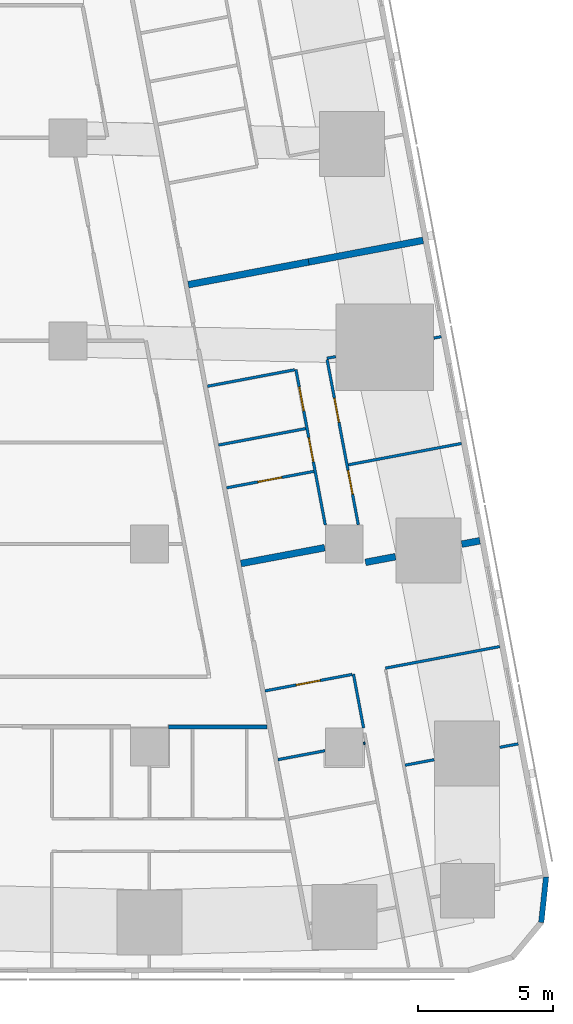
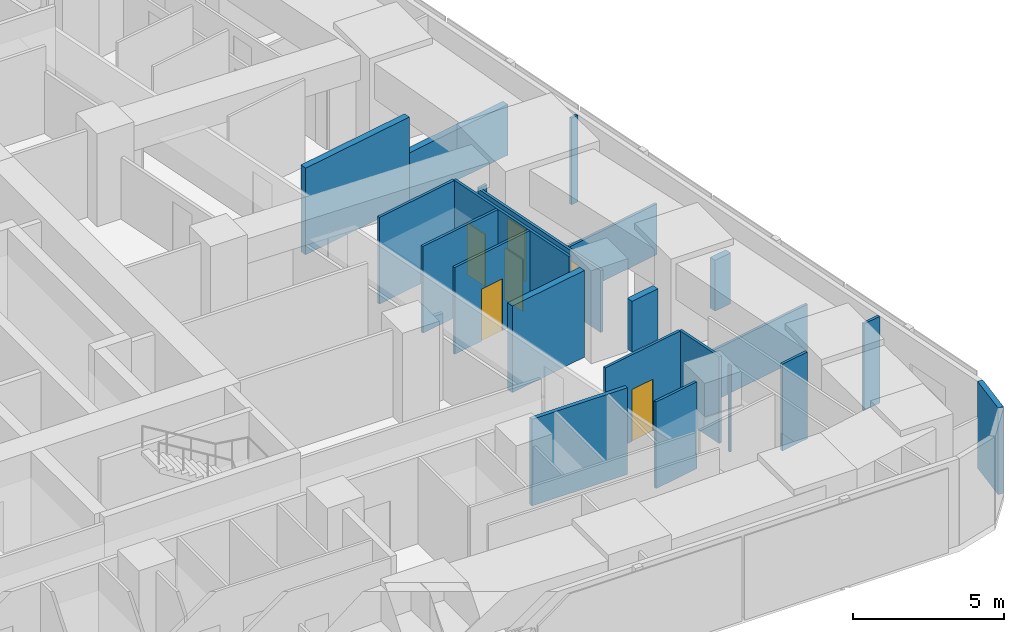
# One storey, part 14 of 19: 22 walls, 6 doors, 6 openings.
"""IFC4 building model written with IfcOpenShell, lengths in metres."""

from ifc_helpers import new_model, si_unit, direction, frame, frame_2d, origin, place, context, subcontext, project, spatial, rectangle, extrude, material, layer, layer_set, type_object, element, fill, save


model = new_model("IFC4")

# Units and contexts
model_context = context("Model", 3, precision=1e-05, world=origin(), true_north=direction((0.0, 1.0)))
body_context = subcontext(model_context, "Body", "Model", "MODEL_VIEW")
ifc_project = project(units=[si_unit("LENGTHUNIT", "METRE"), si_unit("AREAUNIT", "SQUARE_METRE"), si_unit("VOLUMEUNIT", "CUBIC_METRE"), si_unit("PLANEANGLEUNIT", "RADIAN"), si_unit("MASSUNIT", "GRAM", prefix="KILO")], contexts=[model_context])

# Site, building, storey
site_placement = place(None, origin())
site = spatial("IfcSite", under=ifc_project, at=site_placement, CompositionType="ELEMENT")
building_placement = place(site_placement, origin())
building = spatial("IfcBuilding", under=site, at=building_placement, Name="Sheger Commons Tower", CompositionType="ELEMENT")
storey_placement = place(building_placement, frame((0.0, 0.0, 201.199951171875)))
storey = spatial("IfcBuildingStorey", under=building, at=storey_placement, Name="L51", CompositionType="ELEMENT", Elevation=201.199951171875)

# Walls
ifc_material_1 = material(Name="Hollow concrete block masonry, skimmed both sides", Category="masonry")
ifc_layer_1 = layer(ifc_material_1, 0.14990234375)
ifc_layer_set_1 = layer_set([ifc_layer_1], Name="CORRIDOR WALL 150")
wall_type_1 = type_object("IfcWallType", Name="CORRIDOR WALL 150", PredefinedType="SOLIDWALL", material=ifc_layer_set_1)
wall_1_placement = place(storey_placement, frame((40.35498046875, 8.25, 0.0), z_axis=(0.0, 0.0, 1.0), x_axis=(-1.0, 0.0, 0.0)))
element("IfcWall", 1, at=wall_1_placement, inside=storey, type_object=wall_type_1, Name="Corridor wall L51", PredefinedType="SOLIDWALL", context=body_context, shape_type="SweptSolid", body=[
    extrude(rectangle(XDim=3.654052734375, YDim=0.14990234375, at=frame_2d((1.8271484375, 0.0))), origin(), (0.0, 0.0, 1.0), 3.5),
])
ifc_material_2 = material(Name="Dense concrete block masonry, plastered both sides (separating wall between flats)", Category="masonry")
ifc_layer_2 = layer(ifc_material_2, 0.25)
ifc_layer_set_2 = layer_set([ifc_layer_2], Name="DEMISING WALL 250")
wall_type_2 = type_object("IfcWallType", Name="DEMISING WALL 250", PredefinedType="SOLIDWALL", material=ifc_layer_set_2)
wall_2_placement = place(storey_placement, frame((46.110107421875, 26.212890625, 0.0), z_axis=(0.0, 0.0, 1.0), x_axis=(-0.982633535512, -0.185556823879, 0.0)))
element("IfcWall", 2, at=wall_2_placement, inside=storey, type_object=wall_type_2, Name="Demising wall L51", PredefinedType="SOLIDWALL", context=body_context, shape_type="SweptSolid", body=[
    extrude(rectangle(XDim=4.2998046875, YDim=0.25, at=frame_2d((2.14990234375, 0.0))), origin(), (0.0, 0.0, 1.0), 2.050048828125),
])
wall_3_placement = place(storey_placement, frame((41.885009765625, 25.4150390625, 0.0), z_axis=(0.0, 0.0, 1.0), x_axis=(-0.982612837616, -0.185666398014, 0.0)))
element("IfcWall", 3, at=wall_3_placement, inside=storey, type_object=wall_type_2, Name="Demising wall L51", PredefinedType="SOLIDWALL", context=body_context, shape_type="SweptSolid", body=[
    extrude(rectangle(XDim=4.524658203125, YDim=0.25, at=frame_2d((2.26220703125, 0.0))), origin(), (0.0, 0.0, 1.0), 3.5),
])
wall_4_placement = place(storey_placement, frame((48.2060546875, 15.1201171875, 0.0), z_axis=(0.0, 0.0, 1.0), x_axis=(-0.982610999048, -0.18567612811, 0.0)))
element("IfcWall", 4, at=wall_4_placement, inside=storey, type_object=wall_type_2, Name="Demising wall L51", PredefinedType="SOLIDWALL", context=body_context, shape_type="SweptSolid", body=[
    extrude(rectangle(XDim=0.6796875, YDim=0.25, at=frame_2d((0.33984375, 0.0))), origin(), (0.0, 0.0, 1.0), 2.050048828125),
])
wall_5_placement = place(storey_placement, frame((45.090087890625, 14.531005859375, 0.0), z_axis=(0.0, 0.0, 1.0), x_axis=(-0.982737354171, -0.185006196431, 0.0)))
element("IfcWall", 5, at=wall_5_placement, inside=storey, type_object=wall_type_2, Name="Demising wall L51", PredefinedType="SOLIDWALL", context=body_context, shape_type="SweptSolid", body=[
    extrude(rectangle(XDim=1.129638671875, YDim=0.25, at=frame_2d((0.56494140625, 0.0))), origin(), (0.0, 0.0, 1.0), 2.050048828125),
])
wall_6_placement = place(storey_placement, frame((42.47607421875, 14.863037109375, 0.0), z_axis=(0.0, 0.0, 1.0), x_axis=(-0.982638716117, -0.185529387398, 0.0)))
element("IfcWall", 6, at=wall_6_placement, inside=storey, type_object=wall_type_2, Name="Demising wall L51", PredefinedType="SOLIDWALL", context=body_context, shape_type="SweptSolid", body=[
    extrude(rectangle(XDim=3.147705078125, YDim=0.25, at=frame_2d((1.57373046875, 0.0))), origin(), (0.0, 0.0, 1.0), 3.5),
])
ifc_material_3 = material(Name="Rendered concrete block masonry, dark grey", Category="masonry")
ifc_layer_3 = layer(ifc_material_3, 0.199951171875)
ifc_layer_set_3 = layer_set([ifc_layer_3], Name="FACADE WALL 200")
wall_type_3 = type_object("IfcWallType", Name="FACADE WALL 200", PredefinedType="SOLIDWALL", material=ifc_layer_set_3)
wall_7_placement = place(storey_placement, frame((50.47412109375, 1.02490234375, 0.0), z_axis=(0.0, 0.0, 1.0), x_axis=(0.106047815515, 0.994361031429, 0.0)))
element("IfcWall", 7, at=wall_7_placement, inside=storey, type_object=wall_type_3, Name="Facade wall L51", PredefinedType="SOLIDWALL", context=body_context, shape_type="SweptSolid", body=[
    extrude(rectangle(XDim=1.6875, YDim=0.199951171875, at=frame_2d((0.84375, 0.0))), origin(), (0.0, 0.0, 1.0), 3.5),
])

# Wall, openings, doors
ifc_material_4 = material(Name="Gypsum board on steel studs", Category="steel")
ifc_layer_4 = layer(ifc_material_4, 0.10009765625)
ifc_layer_set_4 = layer_set([ifc_layer_4], Name="PARTITION 100")
wall_type_4 = type_object("IfcWallType", Name="PARTITION 100", PredefinedType="PARTITIONING", material=ifc_layer_set_4)
wall_8_placement = place(storey_placement, frame((42.56591796875, 21.80908203125, 0.0), z_axis=(0.0, 0.0, 1.0), x_axis=(0.185613526435, -0.98262282632, 0.0)))
wall_8 = element("IfcWall", 8, at=wall_8_placement, inside=storey, type_object=wall_type_4, Name="Partition L51", PredefinedType="PARTITIONING", context=body_context, shape_type="SweptSolid", body=[
    extrude(rectangle(XDim=6.20703125, YDim=0.10009765625, at=frame_2d((3.103515625, 0.0))), origin(), (0.0, 0.0, 1.0), 2.5),
])
opening_1_placement = place(wall_8_placement, frame((1.449951171875, 0.0, 0.0)))
opening_1 = element("IfcOpeningElement", 9, at=opening_1_placement, cuts=wall_8, Name="Opening D2", PredefinedType="OPENING", context=body_context, shape_type="SweptSolid", body=[
    extrude(rectangle(XDim=0.89990234375, YDim=2.10009765625, at=frame_2d((0.449951171875, 1.050048828125))), frame((0.0, 0.06005859375, 0.0), z_axis=(0.0, -1.0, 0.0), x_axis=(1.0, 0.0, 0.0)), (0.0, 0.0, 1.0), 0.1201171875),
])
opening_2_placement = place(wall_8_placement, frame((4.1630859375, 0.0, 0.0)))
opening_2 = element("IfcOpeningElement", 10, at=opening_2_placement, cuts=wall_8, Name="Opening D2", PredefinedType="OPENING", context=body_context, shape_type="SweptSolid", body=[
    extrude(rectangle(XDim=0.89990234375, YDim=2.10009765625, at=frame_2d((0.449951171875, 1.050048828125))), frame((0.0, 0.06005859375, 0.0), z_axis=(0.0, -1.0, 0.0), x_axis=(1.0, 0.0, 0.0)), (0.0, 0.0, 1.0), 0.1201171875),
])
ifc_material_5 = material(Name="Timber door set", Category="wood")
door_type = type_object("IfcDoorType", Name="INTERNAL DOOR 900x2100", OperationType="NOTDEFINED", PredefinedType="DOOR", material=ifc_material_5)
door_1_placement = place(opening_1_placement, origin())
door_1 = element("IfcDoor", 11, at=door_1_placement, inside=storey, type_object=door_type, Name="Main bedroom door", OperationType="SINGLE_SWING_LEFT", OverallHeight=2.10009765625, OverallWidth=0.89990234375, PredefinedType="DOOR", context=body_context, shape_type="SweptSolid", body=[
    extrude(rectangle(XDim=0.89990234375, YDim=2.10009765625, at=frame_2d((0.449951171875, 1.050048828125))), frame((0.0, 0.02490234375, 0.0), z_axis=(0.0, -1.0, 0.0), x_axis=(1.0, 0.0, 0.0)), (0.0, 0.0, 1.0), 0.050048828125),
])
fill(opening_1, door_1)
door_2_placement = place(opening_2_placement, origin())
door_2 = element("IfcDoor", 12, at=door_2_placement, inside=storey, type_object=door_type, Name="Bedroom 2 door", OperationType="SINGLE_SWING_LEFT", OverallHeight=2.10009765625, OverallWidth=0.89990234375, PredefinedType="DOOR", context=body_context, shape_type="SweptSolid", body=[
    extrude(rectangle(XDim=0.89990234375, YDim=2.10009765625, at=frame_2d((0.449951171875, 1.050048828125))), frame((0.0, 0.02490234375, 0.0), z_axis=(0.0, -1.0, 0.0), x_axis=(1.0, 0.0, 0.0)), (0.0, 0.0, 1.0), 0.050048828125),
])
fill(opening_2, door_2)

wall_9_placement = place(storey_placement, frame((41.4140625, 21.44189453125, 0.0), z_axis=(0.0, 0.0, 1.0), x_axis=(0.185698675093, -0.982606738257, 0.0)))
wall_9 = element("IfcWall", 13, at=wall_9_placement, inside=storey, type_object=wall_type_4, Name="Partition L51", PredefinedType="PARTITIONING", context=body_context, shape_type="SweptSolid", body=[
    extrude(rectangle(XDim=5.842529296875, YDim=0.10009765625, at=frame_2d((2.92138671875, 0.0))), origin(), (0.0, 0.0, 1.0), 3.5),
])
opening_3_placement = place(wall_9_placement, frame((0.655029296875, 0.0, 0.0)))
opening_3 = element("IfcOpeningElement", 14, at=opening_3_placement, cuts=wall_9, Name="Opening D2", PredefinedType="OPENING", context=body_context, shape_type="SweptSolid", body=[
    extrude(rectangle(XDim=0.89990234375, YDim=2.10009765625, at=frame_2d((0.449951171875, 1.050048828125))), frame((0.0, 0.06005859375, 0.0), z_axis=(0.0, -1.0, 0.0), x_axis=(1.0, 0.0, 0.0)), (0.0, 0.0, 1.0), 0.1201171875),
])
opening_4_placement = place(wall_9_placement, frame((2.56298828125, 0.0, 0.0)))
opening_4 = element("IfcOpeningElement", 15, at=opening_4_placement, cuts=wall_9, Name="Opening D2", PredefinedType="OPENING", context=body_context, shape_type="SweptSolid", body=[
    extrude(rectangle(XDim=0.89990234375, YDim=2.10009765625, at=frame_2d((0.449951171875, 1.050048828125))), frame((0.0, 0.06005859375, 0.0), z_axis=(0.0, -1.0, 0.0), x_axis=(1.0, 0.0, 0.0)), (0.0, 0.0, 1.0), 0.1201171875),
])
door_3_placement = place(opening_3_placement, origin())
door_3 = element("IfcDoor", 16, at=door_3_placement, inside=storey, type_object=door_type, Name="Bathroom door", OperationType="SINGLE_SWING_RIGHT", OverallHeight=2.10009765625, OverallWidth=0.89990234375, PredefinedType="DOOR", context=body_context, shape_type="SweptSolid", body=[
    extrude(rectangle(XDim=0.89990234375, YDim=2.10009765625, at=frame_2d((0.449951171875, 1.050048828125))), frame((0.0, 0.02490234375, 0.0), z_axis=(0.0, -1.0, 0.0), x_axis=(1.0, 0.0, 0.0)), (0.0, 0.0, 1.0), 0.050048828125),
])
fill(opening_3, door_3)
door_4_placement = place(opening_4_placement, origin())
door_4 = element("IfcDoor", 17, at=door_4_placement, inside=storey, type_object=door_type, Name="Store door", OperationType="SINGLE_SWING_RIGHT", OverallHeight=2.10009765625, OverallWidth=0.89990234375, PredefinedType="DOOR", context=body_context, shape_type="SweptSolid", body=[
    extrude(rectangle(XDim=0.89990234375, YDim=2.10009765625, at=frame_2d((0.449951171875, 1.050048828125))), frame((0.0, 0.02490234375, 0.0), z_axis=(0.0, -1.0, 0.0), x_axis=(1.0, 0.0, 0.0)), (0.0, 0.0, 1.0), 0.050048828125),
])
fill(opening_4, door_4)

# Walls
wall_10_placement = place(storey_placement, frame((46.781982421875, 22.656982421875, 0.0), z_axis=(0.0, 0.0, 1.0), x_axis=(-0.982574553168, -0.185868898601, 0.0)))
element("IfcWall", 18, at=wall_10_placement, inside=storey, type_object=wall_type_4, Name="Partition L51", PredefinedType="PARTITIONING", context=body_context, shape_type="SweptSolid", body=[
    extrude(rectangle(XDim=0.27978515625, YDim=0.10009765625, at=frame_2d((0.139892578125, 0.0))), origin(), (0.0, 0.0, 1.0), 3.5),
])
wall_11_placement = place(storey_placement, frame((42.886962890625, 21.9208984375, 0.0), z_axis=(0.0, 0.0, 1.0), x_axis=(-0.982274918032, -0.187445953293, 0.0)))
element("IfcWall", 19, at=wall_11_placement, inside=storey, type_object=wall_type_4, Name="Partition L51", PredefinedType="PARTITIONING", context=body_context, shape_type="SweptSolid", body=[
    extrude(rectangle(XDim=0.3359375, YDim=0.10009765625, at=frame_2d((0.16796875, 0.0))), origin(), (0.0, 0.0, 1.0), 2.5),
])
wall_12_placement = place(storey_placement, frame((47.527099609375, 18.7119140625, 0.0), z_axis=(0.0, 0.0, 1.0), x_axis=(-0.982665405803, -0.185387972203, 0.0)))
element("IfcWall", 20, at=wall_12_placement, inside=storey, type_object=wall_type_4, Name="Partition L51", PredefinedType="PARTITIONING", context=body_context, shape_type="SweptSolid", body=[
    extrude(rectangle(XDim=4.249755859375, YDim=0.10009765625, at=frame_2d((2.125, 0.0))), origin(), (0.0, 0.0, 1.0), 2.050048828125),
])
wall_13_placement = place(storey_placement, frame((41.364990234375, 21.43310546875, 0.0), z_axis=(0.0, 0.0, 1.0), x_axis=(-0.982607026909, -0.185697147715, 0.0)))
element("IfcWall", 21, at=wall_13_placement, inside=storey, type_object=wall_type_4, Name="Partition L51", PredefinedType="PARTITIONING", context=body_context, shape_type="SweptSolid", body=[
    extrude(rectangle(XDim=3.27490234375, YDim=0.10009765625, at=frame_2d((1.637451171875, 0.0))), origin(), (0.0, 0.0, 1.0), 3.5),
])

# Wall, opening, door
wall_14_placement = place(storey_placement, frame((42.072998046875, 17.681884765625, 0.0), z_axis=(0.0, 0.0, 1.0), x_axis=(-0.982620626894, -0.185625169636, 0.0)))
wall_14 = element("IfcWall", 22, at=wall_14_placement, inside=storey, type_object=wall_type_4, Name="Partition L51", PredefinedType="PARTITIONING", context=body_context, shape_type="SweptSolid", body=[
    extrude(rectangle(XDim=3.27490234375, YDim=0.10009765625, at=frame_2d((1.637451171875, 0.0))), origin(), (0.0, 0.0, 1.0), 3.5),
])
opening_5_placement = place(wall_14_placement, frame((1.199951171875, 0.0, 0.0)))
opening_5 = element("IfcOpeningElement", 23, at=opening_5_placement, cuts=wall_14, Name="Opening D2", PredefinedType="OPENING", context=body_context, shape_type="SweptSolid", body=[
    extrude(rectangle(XDim=0.89990234375, YDim=2.10009765625, at=frame_2d((0.449951171875, 1.050048828125))), frame((0.0, 0.06005859375, 0.0), z_axis=(0.0, -1.0, 0.0), x_axis=(1.0, 0.0, 0.0)), (0.0, 0.0, 1.0), 0.1201171875),
])
door_5_placement = place(opening_5_placement, origin())
door_5 = element("IfcDoor", 24, at=door_5_placement, inside=storey, type_object=door_type, Name="Store door", OperationType="SINGLE_SWING_RIGHT", OverallHeight=2.10009765625, OverallWidth=0.89990234375, PredefinedType="DOOR", context=body_context, shape_type="SweptSolid", body=[
    extrude(rectangle(XDim=0.89990234375, YDim=2.10009765625, at=frame_2d((0.449951171875, 1.050048828125))), frame((0.0, 0.02490234375, 0.0), z_axis=(0.0, -1.0, 0.0), x_axis=(1.0, 0.0, 0.0)), (0.0, 0.0, 1.0), 0.050048828125),
])
fill(opening_5, door_5)

# Walls
wall_15_placement = place(storey_placement, frame((41.77490234375, 19.260986328125, 0.0), z_axis=(0.0, 0.0, 1.0), x_axis=(-0.982620626894, -0.185625169636, 0.0)))
element("IfcWall", 25, at=wall_15_placement, inside=storey, type_object=wall_type_4, Name="Partition L51", PredefinedType="PARTITIONING", context=body_context, shape_type="SweptSolid", body=[
    extrude(rectangle(XDim=3.27490234375, YDim=0.10009765625, at=frame_2d((1.637451171875, 0.0))), origin(), (0.0, 0.0, 1.0), 3.5),
])
wall_16_placement = place(storey_placement, frame((43.5390625, 10.19189453125, 0.0), z_axis=(0.0, 0.0, 1.0), x_axis=(0.185443145218, -0.982654995353, 0.0)))
element("IfcWall", 26, at=wall_16_placement, inside=storey, type_object=wall_type_4, Name="Partition L51", PredefinedType="PARTITIONING", context=body_context, shape_type="SweptSolid", body=[
    extrude(rectangle(XDim=2.016845703125, YDim=0.10009765625, at=frame_2d((1.00830078125, 0.0))), origin(), (0.0, 0.0, 1.0), 3.5),
])
wall_17_placement = place(storey_placement, frame((48.943115234375, 11.212890625, 0.0), z_axis=(0.0, 0.0, 1.0), x_axis=(-0.982633535512, -0.185556823879, 0.0)))
element("IfcWall", 27, at=wall_17_placement, inside=storey, type_object=wall_type_4, Name="Partition L51", PredefinedType="PARTITIONING", context=body_context, shape_type="SweptSolid", body=[
    extrude(rectangle(XDim=4.2998046875, YDim=0.10009765625, at=frame_2d((2.14990234375, 0.0))), origin(), (0.0, 0.0, 1.0), 2.050048828125),
])
wall_18_placement = place(storey_placement, frame((49.6220703125, 7.6201171875, 0.0), z_axis=(0.0, 0.0, 1.0), x_axis=(-0.98254419619, -0.186029305578, 0.0)))
element("IfcWall", 28, at=wall_18_placement, inside=storey, type_object=wall_type_4, Name="Partition L51", PredefinedType="PARTITIONING", context=body_context, shape_type="SweptSolid", body=[
    extrude(rectangle(XDim=0.6943359375, YDim=0.10009765625, at=frame_2d((0.34716796875, 0.0))), origin(), (0.0, 0.0, 1.0), 3.5),
])
wall_19_placement = place(storey_placement, frame((46.52001953125, 7.034912109375, 0.0), z_axis=(0.0, 0.0, 1.0), x_axis=(-0.982620932907, -0.185623549726, 0.0)))
element("IfcWall", 29, at=wall_19_placement, inside=storey, type_object=wall_type_4, Name="Partition L51", PredefinedType="PARTITIONING", context=body_context, shape_type="SweptSolid", body=[
    extrude(rectangle(XDim=1.093017578125, YDim=0.10009765625, at=frame_2d((0.54638671875, 0.0))), origin(), (0.0, 0.0, 1.0), 3.5),
])

# Wall, opening, door
wall_20_placement = place(storey_placement, frame((43.489990234375, 10.18310546875, 0.0), z_axis=(0.0, 0.0, 1.0), x_axis=(-0.982607026909, -0.185697147715, 0.0)))
wall_20 = element("IfcWall", 30, at=wall_20_placement, inside=storey, type_object=wall_type_4, Name="Partition L51", PredefinedType="PARTITIONING", context=body_context, shape_type="SweptSolid", body=[
    extrude(rectangle(XDim=3.27490234375, YDim=0.10009765625, at=frame_2d((1.637451171875, 0.0))), origin(), (0.0, 0.0, 1.0), 3.5),
])
opening_6_placement = place(wall_20_placement, frame((1.199951171875, 0.0, 0.0)))
opening_6 = element("IfcOpeningElement", 31, at=opening_6_placement, cuts=wall_20, Name="Opening D2", PredefinedType="OPENING", context=body_context, shape_type="SweptSolid", body=[
    extrude(rectangle(XDim=0.89990234375, YDim=2.10009765625, at=frame_2d((0.449951171875, 1.050048828125))), frame((0.0, 0.06005859375, 0.0), z_axis=(0.0, -1.0, 0.0), x_axis=(1.0, 0.0, 0.0)), (0.0, 0.0, 1.0), 0.1201171875),
])
door_6_placement = place(opening_6_placement, origin())
door_6 = element("IfcDoor", 32, at=door_6_placement, inside=storey, type_object=door_type, Name="Store door", OperationType="SINGLE_SWING_LEFT", OverallHeight=2.10009765625, OverallWidth=0.89990234375, PredefinedType="DOOR", context=body_context, shape_type="SweptSolid", body=[
    extrude(rectangle(XDim=0.89990234375, YDim=2.10009765625, at=frame_2d((0.449951171875, 1.050048828125))), frame((0.0, 0.02490234375, 0.0), z_axis=(0.0, -1.0, 0.0), x_axis=(1.0, 0.0, 0.0)), (0.0, 0.0, 1.0), 0.050048828125),
])
fill(opening_6, door_6)

# Walls
wall_21_placement = place(storey_placement, frame((43.968994140625, 7.64599609375, 0.0), z_axis=(0.0, 0.0, 1.0), x_axis=(-0.983147034646, -0.182816597351, 0.0)))
element("IfcWall", 33, at=wall_21_placement, inside=storey, type_object=wall_type_4, Name="Partition L51", PredefinedType="PARTITIONING", context=body_context, shape_type="SweptSolid", body=[
    extrude(rectangle(XDim=0.06005859375, YDim=0.10009765625, at=frame_2d((0.030029296875, 0.0))), origin(), (0.0, 0.0, 1.0), 3.5),
])
wall_22_placement = place(storey_placement, frame((42.489990234375, 7.366943359375, 0.0), z_axis=(0.0, 0.0, 1.0), x_axis=(-0.982585223885, -0.185812480215, 0.0)))
element("IfcWall", 34, at=wall_22_placement, inside=storey, type_object=wall_type_4, Name="Partition L51", PredefinedType="PARTITIONING", context=body_context, shape_type="SweptSolid", body=[
    extrude(rectangle(XDim=1.769775390625, YDim=0.10009765625, at=frame_2d((0.884765625, 0.0))), origin(), (0.0, 0.0, 1.0), 3.5),
])

save(model, "model.ifc")
